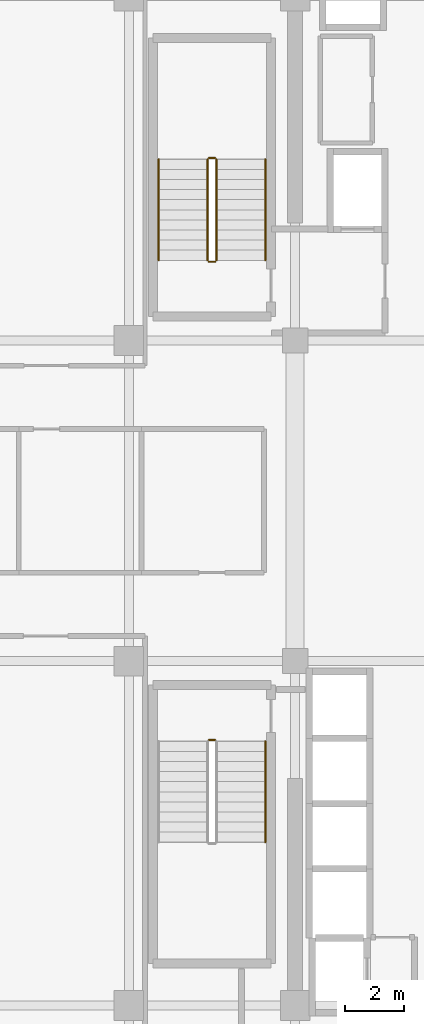
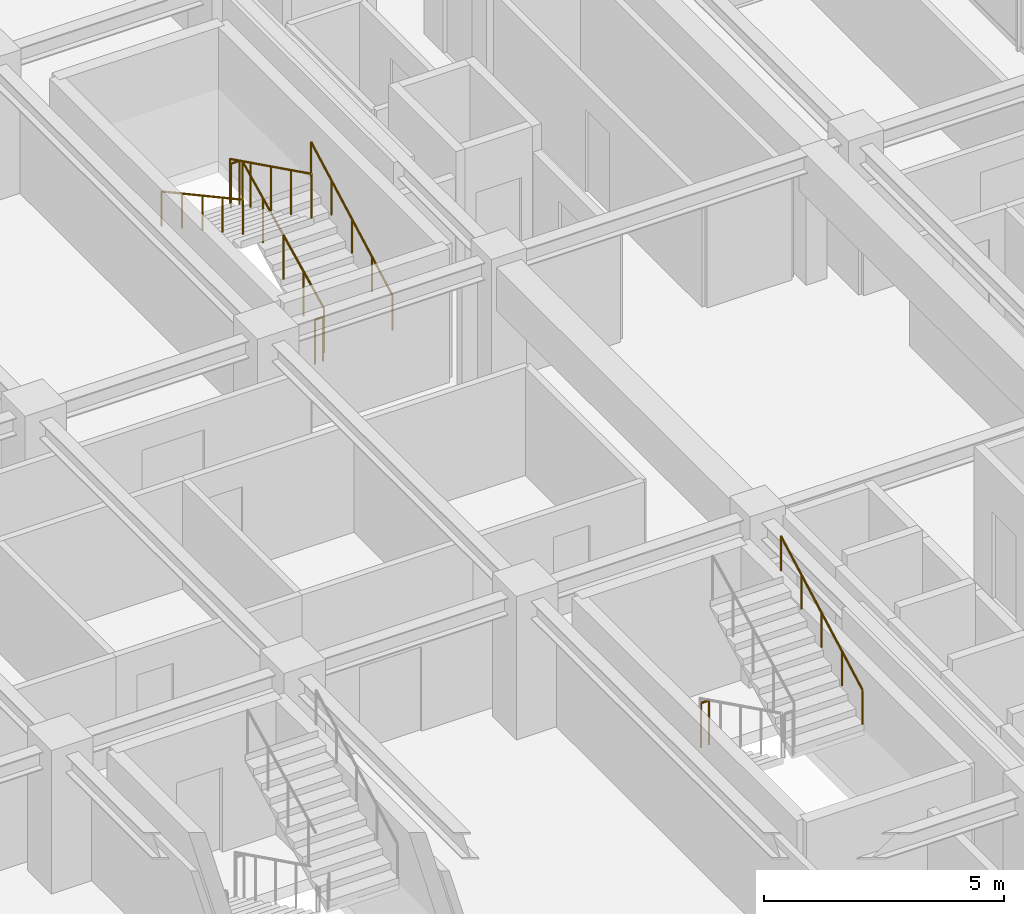
# One storey, part 34 of 35: 8 railings.
"""IFC4 building model written with IfcOpenShell, lengths in metres."""

from ifc_helpers import new_model, si_unit, direction, frame, origin, origin_2d, place, context, subcontext, project, spatial, circle, extrude, material, type_object, element, save


model = new_model("IFC4")

# Units and contexts
model_context = context("Model", 3, precision=1e-05, world=origin(), true_north=direction((0.0, 1.0)))
body_context = subcontext(model_context, "Body", "Model", "MODEL_VIEW")
ifc_project = project(units=[si_unit("LENGTHUNIT", "METRE"), si_unit("AREAUNIT", "SQUARE_METRE"), si_unit("VOLUMEUNIT", "CUBIC_METRE"), si_unit("PLANEANGLEUNIT", "RADIAN"), si_unit("MASSUNIT", "GRAM", prefix="KILO")], contexts=[model_context])

# Site, building, storey
site_placement = place(None, origin())
site = spatial("IfcSite", under=ifc_project, at=site_placement, CompositionType="ELEMENT")
building_placement = place(site_placement, origin())
building = spatial("IfcBuilding", under=site, at=building_placement, Name="Nahalor Promenade Grand Hotel", CompositionType="ELEMENT")
storey_placement = place(building_placement, frame((0.0, 0.0, 216.0)))
storey = spatial("IfcBuildingStorey", under=building, at=storey_placement, Name="L55", CompositionType="ELEMENT", Elevation=216.0)

# Railings
ifc_material = material(Name="Steel S355JR", Category="steel")
railing_type_1 = type_object("IfcRailingType", Name="Steel Stair Guardrail 1150 mm", PredefinedType="GUARDRAIL", material=ifc_material)
railing_1_placement = place(storey_placement, frame((5.75, 8.10009765625, 0.168212890625)))
element("IfcRailing", 1, at=railing_1_placement, inside=storey, type_object=railing_type_1, Name="L55 ST1 stair guard 1", PredefinedType="GUARDRAIL", context=body_context, shape_type="SweptSolid", body=[
    extrude(circle(Radius=0.024048, at=origin_2d()), frame((0.0, 0.0, 1.1259765625), z_axis=(0.0, 0.896324230515, 0.443399226197), x_axis=(-1.0, 0.0, 0.0)), (0.0, 0.0, 1.0), 3.793212890625),
    extrude(circle(Radius=0.020996, at=origin_2d()), origin(), (0.0, 0.0, 1.0), 1.099853515625),
    extrude(circle(Radius=0.020996, at=origin_2d()), frame((0.0, 0.85009765625, 0.42041015625)), (0.0, 0.0, 1.0), 1.099853515625),
    extrude(circle(Radius=0.020996, at=origin_2d()), frame((0.0, 1.699951171875, 0.8408203125)), (0.0, 0.0, 1.0), 1.099853515625),
    extrude(circle(Radius=0.020996, at=origin_2d()), frame((0.0, 2.5498046875, 1.261474609375)), (0.0, 0.0, 1.0), 1.099853515625),
    extrude(circle(Radius=0.020996, at=origin_2d()), frame((0.0, 3.39990234375, 1.681884765625)), (0.0, 0.0, 1.0), 1.099853515625),
])
railing_2_placement = place(storey_placement, frame((5.699951171875, 11.550048828125, 1.85009765625)))
element("IfcRailing", 2, at=railing_2_placement, inside=storey, type_object=railing_type_1, Name="L55 ST1 stair guard 2", PredefinedType="GUARDRAIL", context=body_context, shape_type="SweptSolid", body=[
    extrude(circle(Radius=0.024048, at=origin_2d()), frame((0.0, 0.0, 1.1259765625), z_axis=(-1.0, 0.0, 0.0), x_axis=(0.0, -1.0, 0.0)), (0.0, 0.0, 1.0), 0.199951171875),
    extrude(circle(Radius=0.020996, at=origin_2d()), origin(), (0.0, 0.0, 1.0), 1.099853515625),
    extrude(circle(Radius=0.020996, at=origin_2d()), frame((-0.199951171875, 0.0, 0.0)), (0.0, 0.0, 1.0), 1.099853515625),
])
railing_3_placement = place(storey_placement, frame((5.449951171875, 11.5, 2.01806640625)))
element("IfcRailing", 3, at=railing_3_placement, inside=storey, type_object=railing_type_1, Name="L55 ST1 stair guard 3", PredefinedType="GUARDRAIL", context=body_context, shape_type="SweptSolid", body=[
    extrude(circle(Radius=0.024048, at=origin_2d()), frame((0.0, 0.0, 1.1259765625), z_axis=(0.0, -0.896324230515, 0.443399226197), x_axis=(1.0, 0.0, 0.0)), (0.0, 0.0, 1.0), 3.793212890625),
    extrude(circle(Radius=0.020996, at=origin_2d()), origin(), (0.0, 0.0, 1.0), 1.099853515625),
    extrude(circle(Radius=0.020996, at=origin_2d()), frame((0.0, -0.85009765625, 0.42041015625)), (0.0, 0.0, 1.0), 1.099853515625),
    extrude(circle(Radius=0.020996, at=origin_2d()), frame((0.0, -1.699951171875, 0.8408203125)), (0.0, 0.0, 1.0), 1.099853515625),
    extrude(circle(Radius=0.020996, at=origin_2d()), frame((0.0, -2.5498046875, 1.261474609375)), (0.0, 0.0, 1.0), 1.099853515625),
    extrude(circle(Radius=0.020996, at=origin_2d()), frame((0.0, -3.39990234375, 1.681884765625)), (0.0, 0.0, 1.0), 1.099853515625),
])
railing_4_placement = place(storey_placement, frame((5.699951171875, 8.050048828125, 0.0)))
element("IfcRailing", 4, at=railing_4_placement, inside=storey, type_object=railing_type_1, Name="L55 ST1 stair guard 4", PredefinedType="GUARDRAIL", context=body_context, shape_type="SweptSolid", body=[
    extrude(circle(Radius=0.024048, at=origin_2d()), frame((0.0, 0.0, 1.1259765625), z_axis=(-1.0, 0.0, 0.0), x_axis=(0.0, -1.0, 0.0)), (0.0, 0.0, 1.0), 0.199951171875),
    extrude(circle(Radius=0.020996, at=origin_2d()), origin(), (0.0, 0.0, 1.0), 1.099853515625),
    extrude(circle(Radius=0.020996, at=origin_2d()), frame((-0.199951171875, 0.0, 0.0)), (0.0, 0.0, 1.0), 1.099853515625),
])
railing_5_placement = place(storey_placement, frame((5.5, -8.050048828125, 0.0)))
element("IfcRailing", 5, at=railing_5_placement, inside=storey, type_object=railing_type_1, Name="L55 ST2 stair guard 4", PredefinedType="GUARDRAIL", context=body_context, shape_type="SweptSolid", body=[
    extrude(circle(Radius=0.024048, at=origin_2d()), frame((0.0, 0.0, 1.1259765625), z_axis=(1.0, 0.0, 0.0), x_axis=(0.0, 1.0, 0.0)), (0.0, 0.0, 1.0), 0.199951171875),
    extrude(circle(Radius=0.020996, at=origin_2d()), origin(), (0.0, 0.0, 1.0), 1.099853515625),
    extrude(circle(Radius=0.020996, at=origin_2d()), frame((0.199951171875, 0.0, 0.0)), (0.0, 0.0, 1.0), 1.099853515625),
])
railing_type_2 = type_object("IfcRailingType", Name="Steel Stair Handrail 900 mm", PredefinedType="HANDRAIL", material=ifc_material)
railing_6_placement = place(storey_placement, frame((7.39990234375, 8.10009765625, 0.168212890625)))
element("IfcRailing", 6, at=railing_6_placement, inside=storey, type_object=railing_type_2, Name="L55 ST1 stair handrail 1", PredefinedType="HANDRAIL", context=body_context, shape_type="SweptSolid", body=[
    extrude(circle(Radius=0.024048, at=origin_2d()), frame((0.0, 0.0, 0.8759765625), z_axis=(0.0, 0.878398892953, 0.47792822145), x_axis=(-1.0, 0.0, 0.0)), (0.0, 0.0, 1.0), 3.87060546875),
    extrude(circle(Radius=0.020996, at=origin_2d()), origin(), (0.0, 0.0, 1.0), 0.849853515625),
    extrude(circle(Radius=0.020996, at=origin_2d()), frame((0.0, 0.85009765625, 0.46240234375)), (0.0, 0.0, 1.0), 0.849853515625),
    extrude(circle(Radius=0.020996, at=origin_2d()), frame((0.0, 1.699951171875, 0.9248046875)), (0.0, 0.0, 1.0), 0.849853515625),
    extrude(circle(Radius=0.020996, at=origin_2d()), frame((0.0, 2.5498046875, 1.387451171875)), (0.0, 0.0, 1.0), 0.849853515625),
    extrude(circle(Radius=0.020996, at=origin_2d()), frame((0.0, 3.39990234375, 1.849853515625)), (0.0, 0.0, 1.0), 0.849853515625),
])
railing_7_placement = place(storey_placement, frame((3.800048828125, 11.5, 2.01806640625)))
element("IfcRailing", 7, at=railing_7_placement, inside=storey, type_object=railing_type_2, Name="L55 ST1 stair handrail 2", PredefinedType="HANDRAIL", context=body_context, shape_type="SweptSolid", body=[
    extrude(circle(Radius=0.024048, at=origin_2d()), frame((0.0, 0.0, 0.8759765625), z_axis=(0.0, -0.87837241229, 0.47797688786), x_axis=(1.0, 0.0, 0.0)), (0.0, 0.0, 1.0), 3.87060546875),
    extrude(circle(Radius=0.020996, at=origin_2d()), origin(), (0.0, 0.0, 1.0), 0.849853515625),
    extrude(circle(Radius=0.020996, at=origin_2d()), frame((0.0, -0.85009765625, 0.46240234375)), (0.0, 0.0, 1.0), 0.849853515625),
    extrude(circle(Radius=0.020996, at=origin_2d()), frame((0.0, -1.699951171875, 0.925048828125)), (0.0, 0.0, 1.0), 0.849853515625),
    extrude(circle(Radius=0.020996, at=origin_2d()), frame((0.0, -2.5498046875, 1.3876953125)), (0.0, 0.0, 1.0), 0.849853515625),
    extrude(circle(Radius=0.020996, at=origin_2d()), frame((0.0, -3.39990234375, 1.85009765625)), (0.0, 0.0, 1.0), 0.849853515625),
])
railing_8_placement = place(storey_placement, frame((7.39990234375, -11.5, 2.01806640625)))
element("IfcRailing", 8, at=railing_8_placement, inside=storey, type_object=railing_type_2, Name="L55 ST2 stair handrail 2", PredefinedType="HANDRAIL", context=body_context, shape_type="SweptSolid", body=[
    extrude(circle(Radius=0.024048, at=origin_2d()), frame((0.0, 0.0, 0.8759765625), z_axis=(0.0, 0.87837241229, 0.47797688786), x_axis=(-1.0, 0.0, 0.0)), (0.0, 0.0, 1.0), 3.87060546875),
    extrude(circle(Radius=0.020996, at=origin_2d()), origin(), (0.0, 0.0, 1.0), 0.849853515625),
    extrude(circle(Radius=0.020996, at=origin_2d()), frame((0.0, 0.85009765625, 0.46240234375)), (0.0, 0.0, 1.0), 0.849853515625),
    extrude(circle(Radius=0.020996, at=origin_2d()), frame((0.0, 1.699951171875, 0.925048828125)), (0.0, 0.0, 1.0), 0.849853515625),
    extrude(circle(Radius=0.020996, at=origin_2d()), frame((0.0, 2.5498046875, 1.3876953125)), (0.0, 0.0, 1.0), 0.849853515625),
    extrude(circle(Radius=0.020996, at=origin_2d()), frame((0.0, 3.39990234375, 1.85009765625)), (0.0, 0.0, 1.0), 0.849853515625),
])

save(model, "model.ifc")
